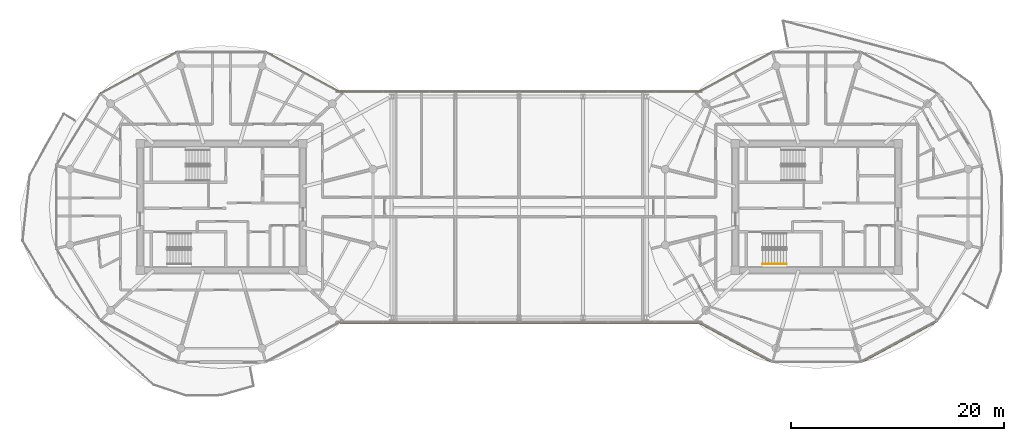
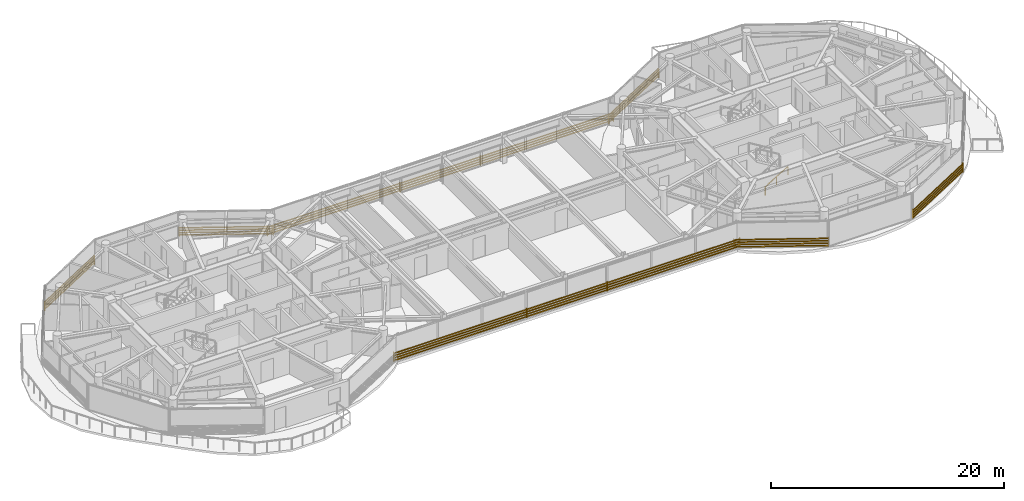
# One storey, part 23 of 24: 11 shading devices, 1 railing.
"""IFC4 building model written with IfcOpenShell, lengths in metres."""

from ifc_helpers import new_model, si_unit, direction, frame, origin, origin_2d, place, context, subcontext, project, spatial, rectangle, extrude, source, transform, mapped, material, type_object, type_shapes, element, save


model = new_model("IFC4")

# Units and contexts
model_context = context("Model", 3, precision=1e-05, world=origin(), true_north=direction((0.0, 1.0)))
body_context = subcontext(model_context, "Body", "Model", "MODEL_VIEW")
ifc_project = project(units=[si_unit("LENGTHUNIT", "METRE"), si_unit("AREAUNIT", "SQUARE_METRE"), si_unit("VOLUMEUNIT", "CUBIC_METRE"), si_unit("PLANEANGLEUNIT", "RADIAN"), si_unit("MASSUNIT", "GRAM", prefix="KILO")], contexts=[model_context])

# Site, building, storey
site_placement = place(None, origin())
site = spatial("IfcSite", under=ifc_project, at=site_placement, CompositionType="ELEMENT")
building_placement = place(site_placement, origin())
building = spatial("IfcBuilding", under=site, at=building_placement, Name="Norrkilde Senior Care Towers", CompositionType="ELEMENT")
storey_placement = place(building_placement, frame((0.0, 0.0, 223.050048828125)))
storey = spatial("IfcBuildingStorey", under=building, at=storey_placement, Name="L69", CompositionType="ELEMENT", Elevation=223.050048828125)

# Railing
ifc_material_1 = material(Name="Nordic Ash Timber", Category="wood")
railing_type = type_object("IfcRailingType", Name="Wall and Stair Handrail 900", PredefinedType="HANDRAIL", material=ifc_material_1)
railing_placement = place(storey_placement, frame((22.89990234375, -5.35009765625, 0.16943359375)))
element("IfcRailing", 1, at=railing_placement, inside=storey, type_object=railing_type, Name="L69 ST-E2 stair handrail 1", PredefinedType="HANDRAIL", context=body_context, shape_type="SweptSolid", body=[
    extrude(rectangle(XDim=0.048095703125, YDim=0.048095703125, at=origin_2d()), frame((0.0, 0.0, 0.8759765625), z_axis=(0.855553338991, 0.0, 0.51771467445), x_axis=(0.0, 1.0, 0.0)), (0.0, 0.0, 1.0), 2.6181640625),
    extrude(rectangle(XDim=0.0419921875, YDim=0.0419921875, at=origin_2d()), origin(), (0.0, 0.0, 1.0), 0.849853515625),
    extrude(rectangle(XDim=0.0419921875, YDim=0.0419921875, at=origin_2d()), frame((1.1201171875, 0.0, 0.677734375)), (0.0, 0.0, 1.0), 0.849853515625),
    extrude(rectangle(XDim=0.0419921875, YDim=0.0419921875, at=origin_2d()), frame((2.239990234375, 0.0, 1.35546875)), (0.0, 0.0, 1.0), 0.849853515625),
])

# Shading devices
ifc_material_2 = material(Name="Architectural Terracotta", Category="masonry")
shading_device_type = type_object("IfcShadingDeviceType", Name="Horizontal Terracotta Baguette Rack", PredefinedType="USERDEFINED", material=ifc_material_2)
shared_shape_1 = source(origin(), body_context, "Body", "SweptSolid", [
    extrude(rectangle(XDim=0.070068359375, YDim=0.110107421875, at=origin_2d()), frame((0.0, 0.090087890625, 0.125), z_axis=(1.0, 0.0, 0.0), x_axis=(0.0, 1.0, 0.0)), (0.0, 0.0, 1.0), 8.197265625),
    extrude(rectangle(XDim=0.070068359375, YDim=0.110107421875, at=origin_2d()), frame((0.0, 0.090087890625, 0.375), z_axis=(1.0, 0.0, 0.0), x_axis=(0.0, 1.0, 0.0)), (0.0, 0.0, 1.0), 8.197265625),
    extrude(rectangle(XDim=0.070068359375, YDim=0.110107421875, at=origin_2d()), frame((0.0, 0.090087890625, 0.625), z_axis=(1.0, 0.0, 0.0), x_axis=(0.0, 1.0, 0.0)), (0.0, 0.0, 1.0), 8.197265625),
    extrude(rectangle(XDim=0.070068359375, YDim=0.110107421875, at=origin_2d()), frame((0.0, 0.090087890625, 0.875), z_axis=(1.0, 0.0, 0.0), x_axis=(0.0, 1.0, 0.0)), (0.0, 0.0, 1.0), 8.197265625),
    extrude(rectangle(XDim=0.050048828125, YDim=0.1552734375, at=origin_2d()), frame((0.02490234375, 0.047607421875, 0.0)), (0.0, 0.0, 1.0), 1.0),
    extrude(rectangle(XDim=0.050048828125, YDim=0.1552734375, at=origin_2d()), frame((8.17236328125, 0.047607421875, 0.0)), (0.0, 0.0, 1.0), 1.0),
])
for number, where, z_axis, x_axis, name in (
    (2, (-23.838134765625, 14.566162109375, 0.079833984375), (0.0, 0.0, 1.0), (0.879378127234, -0.476143674053, 0.0), "L69 Drum W Terracotta Baguette Screen 01"),
    (3, (-39.370361328125, 10.6630859375, 0.079833984375), (0.0, 0.0, 1.0), (0.879378127234, 0.476143674053, 0.0), "L69 Drum W Terracotta Baguette Screen 03"),
    (4, (16.629638671875, 10.6630859375, 0.079833984375), (0.0, 0.0, 1.0), (0.879378127234, 0.476143674053, 0.0), "L69 Drum E Terracotta Baguette Screen 03"),
    (5, (23.838134765625, -14.566162109375, 0.079833984375), (0.0, 0.0, 1.0), (-0.879378127234, 0.476143674053, 0.0), "L69 Drum E Terracotta Baguette Screen 07"),
    (6, (39.370361328125, -10.6630859375, 0.079833984375), (0.0, 0.0, 1.0), (-0.879378127234, -0.476143674053, 0.0), "L69 Drum E Terracotta Baguette Screen 09"),
):
    element("IfcShadingDevice", number, at=place(storey_placement, frame(where, z_axis=z_axis, x_axis=x_axis)), inside=storey, type_object=shading_device_type, Name=name, ObjectType="BAGUETTE", PredefinedType="USERDEFINED", context=body_context, shape_type="MappedRepresentation", body=[
        mapped(shared_shape_1, transform((0.0, 0.0, 0.0), x_axis=(1.0, 0.0, 0.0), y_axis=(0.0, 1.0, 0.0), z_axis=(0.0, 0.0, 1.0), scale=1.0)),
    ])
shared_shape_2 = source(origin(), body_context, "Body", "SweptSolid", [
    extrude(rectangle(XDim=0.070068359375, YDim=0.110107421875, at=origin_2d()), frame((0.0, 0.090087890625, 0.125), z_axis=(1.0, 0.0, 0.0), x_axis=(0.0, 1.0, 0.0)), (0.0, 0.0, 1.0), 13.199951171875),
    extrude(rectangle(XDim=0.070068359375, YDim=0.110107421875, at=origin_2d()), frame((0.0, 0.090087890625, 0.375), z_axis=(1.0, 0.0, 0.0), x_axis=(0.0, 1.0, 0.0)), (0.0, 0.0, 1.0), 13.199951171875),
    extrude(rectangle(XDim=0.070068359375, YDim=0.110107421875, at=origin_2d()), frame((0.0, 0.090087890625, 0.625), z_axis=(1.0, 0.0, 0.0), x_axis=(0.0, 1.0, 0.0)), (0.0, 0.0, 1.0), 13.199951171875),
    extrude(rectangle(XDim=0.070068359375, YDim=0.110107421875, at=origin_2d()), frame((0.0, 0.090087890625, 0.875), z_axis=(1.0, 0.0, 0.0), x_axis=(0.0, 1.0, 0.0)), (0.0, 0.0, 1.0), 13.199951171875),
    extrude(rectangle(XDim=0.050048828125, YDim=0.1552734375, at=origin_2d()), frame((0.02490234375, 0.047607421875, 0.0)), (0.0, 0.0, 1.0), 1.0),
    extrude(rectangle(XDim=0.050048828125, YDim=0.1552734375, at=origin_2d()), frame((13.1748046875, 0.047607421875, 0.0)), (0.0, 0.0, 1.0), 1.0),
])
for number, where, z_axis, x_axis, name in (
    (7, (-17.199951171875, 10.820068359375, 0.079833984375), (0.0, 0.0, 1.0), (1.0, 0.0, 0.0), "L69 Bridge North Baguette Screen 1"),
    (8, (4.0, 10.820068359375, 0.079833984375), (0.0, 0.0, 1.0), (1.0, 0.0, 0.0), "L69 Bridge North Baguette Screen 3"),
    (9, (17.199951171875, -10.820068359375, 0.079833984375), (0.0, 0.0, 1.0), (-1.0, 0.0, 0.0), "L69 Bridge South Baguette Screen 1"),
    (10, (-4.0, -10.820068359375, 0.079833984375), (0.0, 0.0, 1.0), (-1.0, 0.0, 0.0), "L69 Bridge South Baguette Screen 3"),
):
    element("IfcShadingDevice", number, at=place(storey_placement, frame(where, z_axis=z_axis, x_axis=x_axis)), inside=storey, type_object=shading_device_type, Name=name, ObjectType="BAGUETTE", PredefinedType="USERDEFINED", context=body_context, shape_type="MappedRepresentation", body=[
        mapped(shared_shape_2, transform((0.0, 0.0, 0.0), x_axis=(1.0, 0.0, 0.0), y_axis=(0.0, 1.0, 0.0), z_axis=(0.0, 0.0, 1.0), scale=1.0)),
    ])
shared_shape_3 = source(origin(), body_context, "Body", "SweptSolid", [
    extrude(rectangle(XDim=0.070068359375, YDim=0.110107421875, at=origin_2d()), frame((0.0, 0.090087890625, 0.125), z_axis=(1.0, 0.0, 0.0), x_axis=(0.0, 1.0, 0.0)), (0.0, 0.0, 1.0), 8.0),
    extrude(rectangle(XDim=0.070068359375, YDim=0.110107421875, at=origin_2d()), frame((0.0, 0.090087890625, 0.375), z_axis=(1.0, 0.0, 0.0), x_axis=(0.0, 1.0, 0.0)), (0.0, 0.0, 1.0), 8.0),
    extrude(rectangle(XDim=0.070068359375, YDim=0.110107421875, at=origin_2d()), frame((0.0, 0.090087890625, 0.625), z_axis=(1.0, 0.0, 0.0), x_axis=(0.0, 1.0, 0.0)), (0.0, 0.0, 1.0), 8.0),
    extrude(rectangle(XDim=0.070068359375, YDim=0.110107421875, at=origin_2d()), frame((0.0, 0.090087890625, 0.875), z_axis=(1.0, 0.0, 0.0), x_axis=(0.0, 1.0, 0.0)), (0.0, 0.0, 1.0), 8.0),
    extrude(rectangle(XDim=0.050048828125, YDim=0.1552734375, at=origin_2d()), frame((0.02490234375, 0.047607421875, 0.0)), (0.0, 0.0, 1.0), 1.0),
    extrude(rectangle(XDim=0.050048828125, YDim=0.1552734375, at=origin_2d()), frame((7.97509765625, 0.047607421875, 0.0)), (0.0, 0.0, 1.0), 1.0),
])
type_shapes(shading_device_type, [shared_shape_1, shared_shape_2, shared_shape_3])
for number, where, z_axis, x_axis, name in (
    (11, (-4.0, 10.820068359375, 0.079833984375), (0.0, 0.0, 1.0), (1.0, 0.0, 0.0), "L69 Bridge North Baguette Screen 2"),
    (12, (4.0, -10.820068359375, 0.079833984375), (0.0, 0.0, 1.0), (-1.0, 0.0, 0.0), "L69 Bridge South Baguette Screen 2"),
):
    element("IfcShadingDevice", number, at=place(storey_placement, frame(where, z_axis=z_axis, x_axis=x_axis)), inside=storey, type_object=shading_device_type, Name=name, ObjectType="BAGUETTE", PredefinedType="USERDEFINED", context=body_context, shape_type="MappedRepresentation", body=[
        mapped(shared_shape_3, transform((0.0, 0.0, 0.0), x_axis=(1.0, 0.0, 0.0), y_axis=(0.0, 1.0, 0.0), z_axis=(0.0, 0.0, 1.0), scale=1.0)),
    ])

save(model, "model.ifc")
